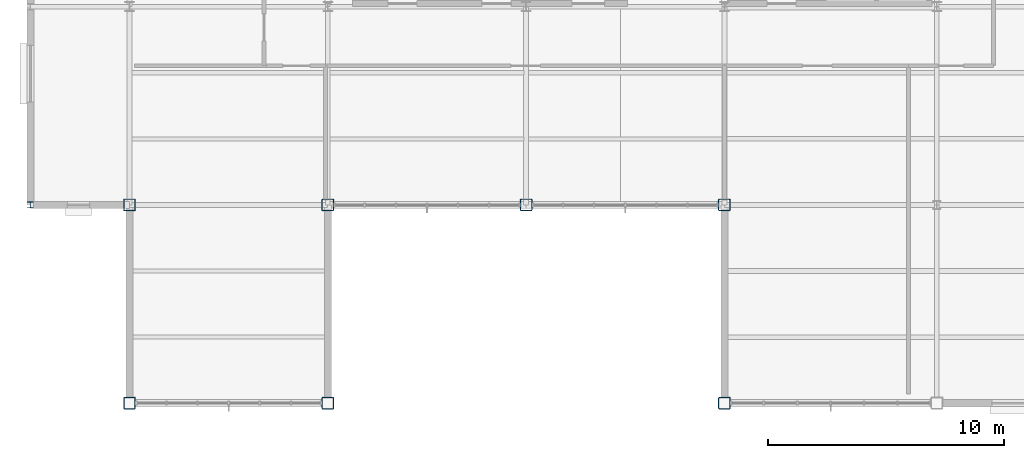
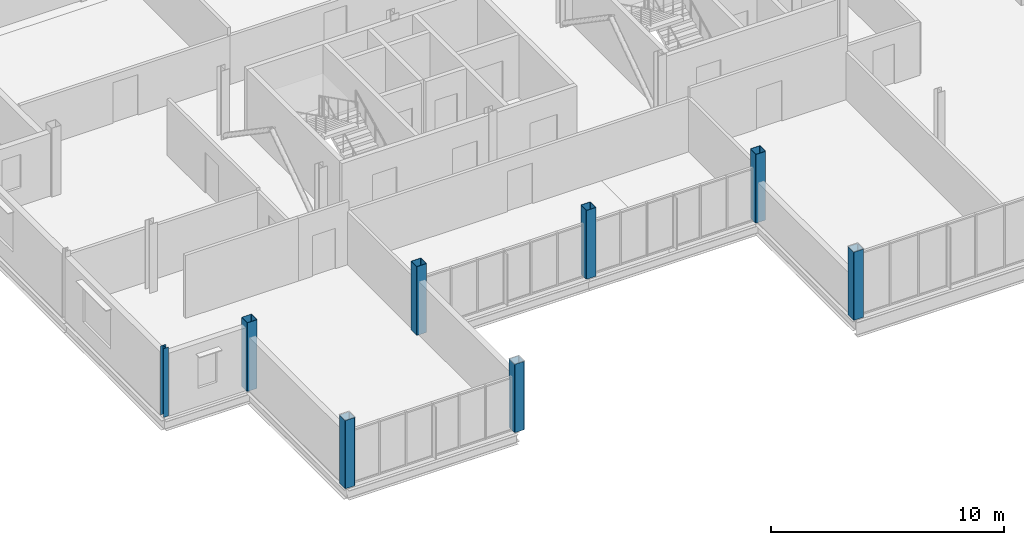
# One storey, part 1 of 19: 8 columns.
"""IFC4 building model written with IfcOpenShell, lengths in metres."""

from ifc_helpers import new_model, si_unit, direction, frame, origin, origin_2d, place, context, subcontext, project, spatial, hollow_rectangle, i_section, extrude, material, material_profile, profile_set, type_object, element, save


model = new_model("IFC4")

# Units and contexts
model_context = context("Model", 3, precision=1e-05, world=origin(), true_north=direction((0.0, 1.0)))
body_context = subcontext(model_context, "Body", "Model", "MODEL_VIEW")
ifc_project = project(units=[si_unit("LENGTHUNIT", "METRE"), si_unit("AREAUNIT", "SQUARE_METRE"), si_unit("VOLUMEUNIT", "CUBIC_METRE"), si_unit("PLANEANGLEUNIT", "RADIAN"), si_unit("MASSUNIT", "GRAM", prefix="KILO")], contexts=[model_context])

# Site, building, storey
site_placement = place(None, origin())
site = spatial("IfcSite", under=ifc_project, at=site_placement, CompositionType="ELEMENT")
building_placement = place(site_placement, origin())
building = spatial("IfcBuilding", under=site, at=building_placement, Name="Yukiwa Park Conservatory and Herbarium", CompositionType="ELEMENT")
storey_placement = place(building_placement, frame((0.0, 0.0, 31.800048828125)))
storey = spatial("IfcBuildingStorey", under=building, at=storey_placement, Name="L08", CompositionType="ELEMENT", Elevation=31.800048828125)

# Columns
ifc_material_1 = material(Name="Steel Q355D", Category="steel")
ifc_material_profile_1 = material_profile(ifc_material_1, i_section(OverallWidth=0.25, OverallDepth=0.25, WebThickness=0.009033203125, FlangeThickness=0.013916015625, FilletRadius=0.01611328125, at=origin_2d()), Name="HW 250x250x9x14")
ifc_profile_set_1 = profile_set([ifc_material_profile_1], Name="Steel Q355D")
column_type_1 = type_object("IfcColumnType", Name="COL-SB-HW250", PredefinedType="COLUMN", material=ifc_profile_set_1)
column_1_placement = place(storey_placement, frame((120.60009765625, 86.39990234375, 0.0), z_axis=(0.0, 0.0, 1.0), x_axis=(1.0, 0.0, 0.0)))
element("IfcColumn", 1, at=column_1_placement, inside=storey, type_object=column_type_1, Name="L08 column V5SB1-X1206-Y864", PredefinedType="COLUMN", context=body_context, shape_type="SweptSolid", body=[
    extrude(i_section(OverallWidth=0.25, OverallDepth=0.25, WebThickness=0.009033203125, FlangeThickness=0.013916015625, FilletRadius=0.01611328125, at=origin_2d()), origin(), (0.0, 0.0, 1.0), 3.599853515625),
])
ifc_material_2 = material(Name="Steel Q355D", Category="steel")
ifc_material_profile_2 = material_profile(ifc_material_2, hollow_rectangle(XDim=0.5, YDim=0.5, WallThickness=0.02001953125, InnerFilletRadius=0.02001953125, OuterFilletRadius=0.0400390625, at=origin_2d()), Name="BOX 500x500x20")
ifc_profile_set_2 = profile_set([ifc_material_profile_2], Name="Steel Q355D")
column_type_2 = type_object("IfcColumnType", Name="COL-TW-BOX500-EXT", PredefinedType="COLUMN", material=ifc_profile_set_2)
column_2_placement = place(storey_placement, frame((124.800048828125, 78.0, 0.0), z_axis=(0.0, 0.0, 1.0), x_axis=(1.0, 0.0, 0.0)))
element("IfcColumn", 2, at=column_2_placement, inside=storey, type_object=column_type_2, Name="L08 column V5-X1248-Y780", PredefinedType="COLUMN", context=body_context, shape_type="SweptSolid", body=[
    extrude(hollow_rectangle(XDim=0.5, YDim=0.5, WallThickness=0.02001953125, InnerFilletRadius=0.02001953125, OuterFilletRadius=0.0400390625, at=origin_2d()), origin(), (0.0, 0.0, 1.0), 3.575927734375),
])
column_3_placement = place(storey_placement, frame((124.800048828125, 86.39990234375, 0.0), z_axis=(0.0, 0.0, 1.0), x_axis=(1.0, 0.0, 0.0)))
element("IfcColumn", 3, at=column_3_placement, inside=storey, type_object=column_type_2, Name="L08 column V5-X1248-Y864", PredefinedType="COLUMN", context=body_context, shape_type="SweptSolid", body=[
    extrude(hollow_rectangle(XDim=0.5, YDim=0.5, WallThickness=0.02001953125, InnerFilletRadius=0.02001953125, OuterFilletRadius=0.0400390625, at=origin_2d()), origin(), (0.0, 0.0, 1.0), 3.599853515625),
])
column_4_placement = place(storey_placement, frame((133.199951171875, 78.0, 0.0), z_axis=(0.0, 0.0, 1.0), x_axis=(1.0, 0.0, 0.0)))
element("IfcColumn", 4, at=column_4_placement, inside=storey, type_object=column_type_2, Name="L08 column V5-X1332-Y780", PredefinedType="COLUMN", context=body_context, shape_type="SweptSolid", body=[
    extrude(hollow_rectangle(XDim=0.5, YDim=0.5, WallThickness=0.02001953125, InnerFilletRadius=0.02001953125, OuterFilletRadius=0.0400390625, at=origin_2d()), origin(), (0.0, 0.0, 1.0), 3.575927734375),
])
for number, where, z_axis, x_axis, name in (
    (5, (133.199951171875, 86.39990234375, 0.0), (0.0, 0.0, 1.0), (1.0, 0.0, 0.0), "L08 column V5-X1332-Y864"),
    (6, (141.60009765625, 86.39990234375, 0.0), (0.0, 0.0, 1.0), (1.0, 0.0, 0.0), "L08 column V5-X1416-Y864"),
):
    element("IfcColumn", number, at=place(storey_placement, frame(where, z_axis=z_axis, x_axis=x_axis)), inside=storey, type_object=column_type_2, Name=name, PredefinedType="COLUMN", context=body_context, shape_type="SweptSolid", body=[
        extrude(hollow_rectangle(XDim=0.5, YDim=0.5, WallThickness=0.02001953125, InnerFilletRadius=0.02001953125, OuterFilletRadius=0.0400390625, at=origin_2d()), origin(), (0.0, 0.0, 1.0), 3.599853515625),
    ])
column_5_placement = place(storey_placement, frame((150.0, 78.0, 0.0), z_axis=(0.0, 0.0, 1.0), x_axis=(1.0, 0.0, 0.0)))
element("IfcColumn", 7, at=column_5_placement, inside=storey, type_object=column_type_2, Name="L08 column V5-X1500-Y780", PredefinedType="COLUMN", context=body_context, shape_type="SweptSolid", body=[
    extrude(hollow_rectangle(XDim=0.5, YDim=0.5, WallThickness=0.02001953125, InnerFilletRadius=0.02001953125, OuterFilletRadius=0.0400390625, at=origin_2d()), origin(), (0.0, 0.0, 1.0), 3.575927734375),
])
column_6_placement = place(storey_placement, frame((150.0, 86.39990234375, 0.0), z_axis=(0.0, 0.0, 1.0), x_axis=(1.0, 0.0, 0.0)))
element("IfcColumn", 8, at=column_6_placement, inside=storey, type_object=column_type_2, Name="L08 column V5-X1500-Y864", PredefinedType="COLUMN", context=body_context, shape_type="SweptSolid", body=[
    extrude(hollow_rectangle(XDim=0.5, YDim=0.5, WallThickness=0.02001953125, InnerFilletRadius=0.02001953125, OuterFilletRadius=0.0400390625, at=origin_2d()), origin(), (0.0, 0.0, 1.0), 3.599853515625),
])

save(model, "model.ifc")
